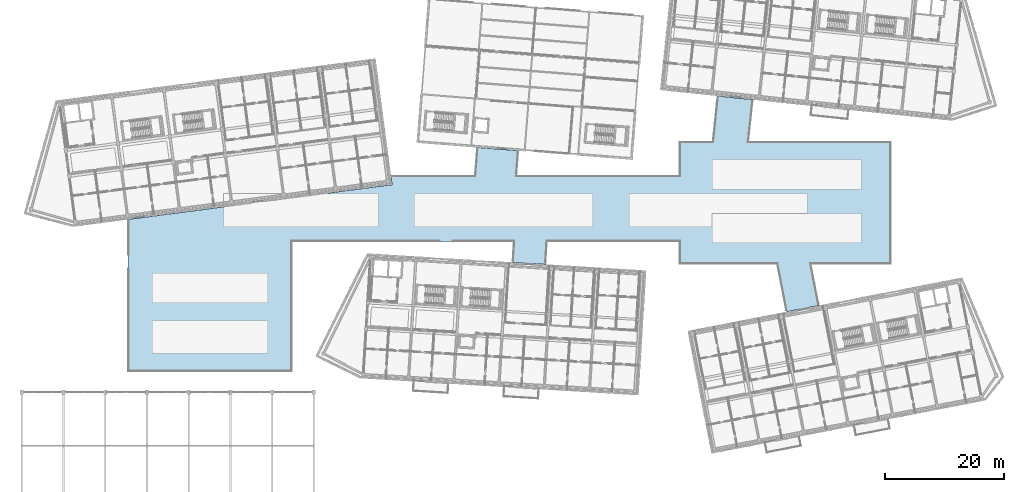
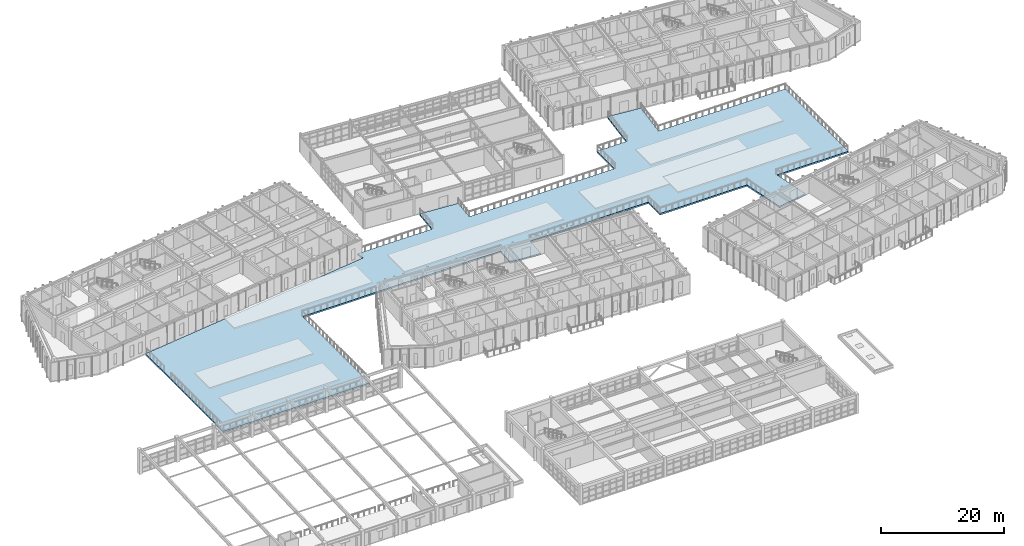
# One storey, part 73 of 150: 1 slab.
"""IFC4 building model written with IfcOpenShell, lengths in metres."""

from ifc_helpers import new_model, si_unit, direction, frame, origin, place, context, subcontext, project, spatial, polyline, outline, extrude, material, layer, layer_set, type_object, element, save


model = new_model("IFC4")

# Units and contexts
model_context = context("Model", 3, precision=1e-05, world=origin(), true_north=direction((0.0, 1.0)))
body_context = subcontext(model_context, "Body", "Model", "MODEL_VIEW")
ifc_project = project(units=[si_unit("LENGTHUNIT", "METRE"), si_unit("AREAUNIT", "SQUARE_METRE"), si_unit("VOLUMEUNIT", "CUBIC_METRE"), si_unit("PLANEANGLEUNIT", "RADIAN"), si_unit("MASSUNIT", "GRAM", prefix="KILO")], contexts=[model_context])

# Site, building, storey
site_placement = place(None, origin())
site = spatial("IfcSite", under=ifc_project, at=site_placement, CompositionType="ELEMENT")
building_placement = place(site_placement, origin())
building = spatial("IfcBuilding", under=site, at=building_placement, Name="Kestramere Prow Commons", CompositionType="ELEMENT")
storey_placement = place(building_placement, frame((0.0, 0.0, 4.5)))
storey = spatial("IfcBuildingStorey", under=building, at=storey_placement, Name="L01", CompositionType="ELEMENT", Elevation=4.5)

# Slab
ifc_material = material(Name="Precast concrete C40/50", Category="concrete")
ifc_layer = layer(ifc_material, 0.300048828125)
ifc_layer_set = layer_set([ifc_layer], Name="Precast concrete C40/50")
slab_type = type_object("IfcSlabType", Name="SL-COURT-300", PredefinedType="FLOOR", material=ifc_layer_set)
slab_placement = place(storey_placement, frame((0.0, 0.0, -0.300048828125)))
element("IfcSlab", 1, at=slab_placement, inside=storey, type_object=slab_type, Name="Shared Raised Hillside Central Courtyard Terrace Slab", PredefinedType="FLOOR", context=body_context, shape_type="SweptSolid", body=[
    extrude(outline(polyline([(128.87744140625, 65.0), (112.5, 65.0), (112.5, 68.800048828125), (90.31884765625, 68.800048828125), (90.083251953125, 64.947265625), (84.49365234375, 65.289306640625), (84.70849609375, 68.800048828125), (47.5, 68.800048828125), (47.5, 47.0), (20.0, 47.0), (20.0, 68.800048828125), (20.0, 72.47265625), (64.311279296875, 78.306396484375), (64.114501953125, 79.800048828125), (78.182373046875, 79.800048828125), (78.556640625, 84.555908203125), (85.534912109375, 84.006591796875), (85.2041015625, 79.800048828125), (112.5, 79.800048828125), (112.5, 85.5), (118.072021484375, 85.5), (118.879638671875, 93.18310546875), (124.8466796875, 92.555908203125), (124.105224609375, 85.5), (148.0, 85.5), (148.0, 79.800048828125), (148.0, 68.800048828125), (148.0, 65.0), (134.582275390625, 65.0), (135.929931640625, 58.06689453125), (130.432861328125, 56.99853515625), (128.87744140625, 65.0)])), origin(), (0.0, 0.0, 1.0), 0.300048828125),
])

save(model, "model.ifc")
